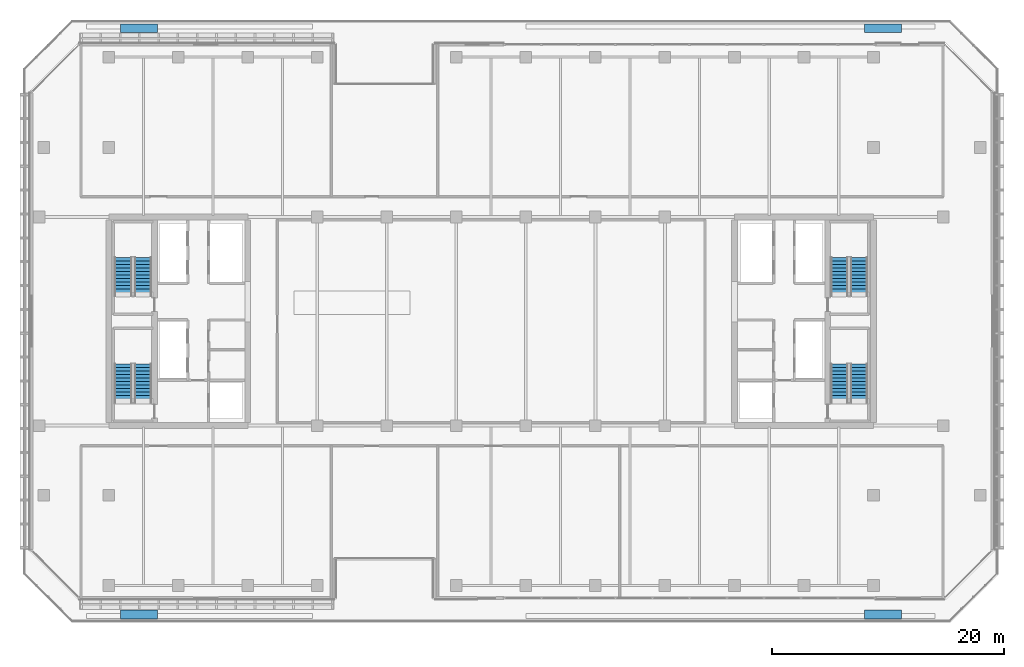
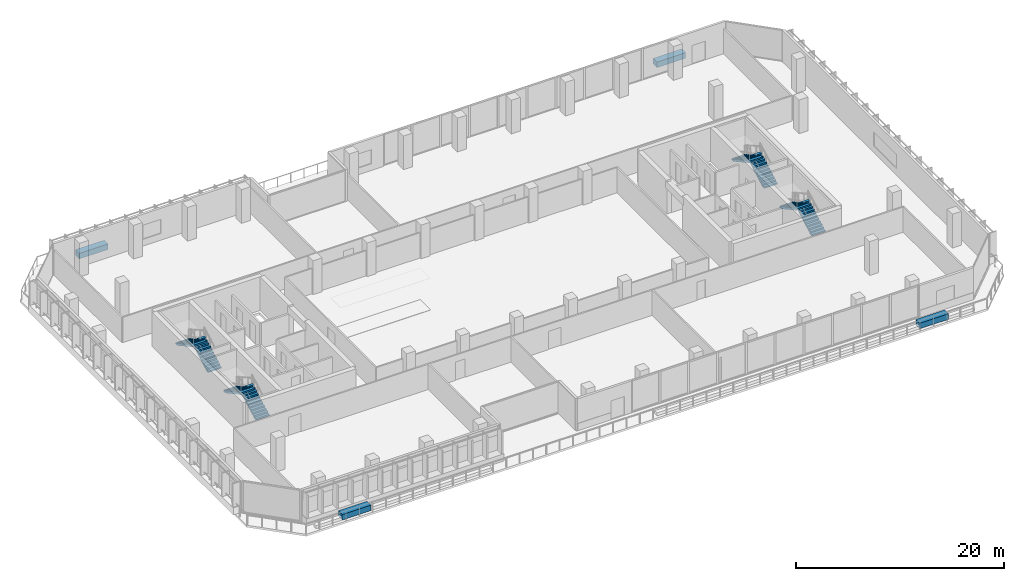
# One storey, part 32 of 38: 8 stair flights, 4 discrete accessories, 4 elements without a shape of their own.
"""IFC4 building model written with IfcOpenShell, lengths in metres."""

from ifc_helpers import new_model, si_unit, direction, frame, origin, origin_2d, place, context, subcontext, project, spatial, polyline, rectangle, outline, extrude, material, type_object, element, aggregate, save


model = new_model("IFC4")

# Units and contexts
model_context = context("Model", 3, precision=1e-05, world=origin(), true_north=direction((0.0, 1.0)))
body_context = subcontext(model_context, "Body", "Model", "MODEL_VIEW")
ifc_project = project(units=[si_unit("LENGTHUNIT", "METRE"), si_unit("AREAUNIT", "SQUARE_METRE"), si_unit("VOLUMEUNIT", "CUBIC_METRE"), si_unit("PLANEANGLEUNIT", "RADIAN"), si_unit("MASSUNIT", "GRAM", prefix="KILO")], contexts=[model_context])

# Site, building, storey
site_placement = place(None, origin())
site = spatial("IfcSite", under=ifc_project, at=site_placement, CompositionType="ELEMENT")
building_placement = place(site_placement, origin())
building = spatial("IfcBuilding", under=site, at=building_placement, Name="Tanjung Sevakor Pilgrim Tower", CompositionType="ELEMENT")
storey_placement = place(building_placement, frame((0.0, 0.0, 78.2099609375)))
storey = spatial("IfcBuildingStorey", under=building, at=storey_placement, Name="L21", CompositionType="ELEMENT", Elevation=78.2099609375)

# Stair, stair flights
ifc_material_1 = material(Name="Concrete C40/50", Category="concrete")
stair_type = type_object("IfcStairType", Name="STAIR-ST-CR150", PredefinedType="HALF_TURN_STAIR", material=ifc_material_1)
stair_1_placement = place(storey_placement, origin())
stair_1 = element("IfcStair", 1, at=stair_1_placement, inside=storey, type_object=stair_type, Name="L21 West Core Exit Stair 1", PredefinedType="HALF_TURN_STAIR")
ifc_material_2 = material(Name="Concrete C40/50", Category="concrete")
stair_flight_type = type_object("IfcStairFlightType", Name="FLIGHT-ST-CR150", PredefinedType="STRAIGHT", material=ifc_material_2)
stair_flight_1_placement = place(storey_placement, frame((26.949951171875, 26.60009765625, 0.0), z_axis=(0.0, 0.0, 1.0), x_axis=(0.0, 1.0, 0.0)))
stair_flight_1 = element("IfcStairFlight", 2, at=stair_flight_1_placement, type_object=stair_flight_type, Name="TS-W1 flight 1", NumberOfRisers=12, NumberOfTreads=11, PredefinedType="STRAIGHT", RiserHeight=0.165, TreadLength=0.3, context=body_context, shape_type="SweptSolid", body=[
    extrude(outline(polyline([(0.0, 0.0), (0.0, 0.1650390625), (0.300048828125, 0.1650390625), (0.300048828125, 0.330078125), (0.60009765625, 0.330078125), (0.60009765625, 0.4951171875), (0.89990234375, 0.4951171875), (0.89990234375, 0.659912109375), (1.199951171875, 0.659912109375), (1.199951171875, 0.824951171875), (1.5, 0.824951171875), (1.5, 0.989990234375), (1.800048828125, 0.989990234375), (1.800048828125, 1.155029296875), (2.10009765625, 1.155029296875), (2.10009765625, 1.320068359375), (2.39990234375, 1.320068359375), (2.39990234375, 1.485107421875), (2.699951171875, 1.485107421875), (2.699951171875, 1.64990234375), (3.0, 1.64990234375), (3.0, 1.81494140625), (3.300048828125, 1.81494140625), (3.300048828125, 1.97998046875), (3.300048828125, 1.632568359375), (0.331787109375, 0.0), (0.0, 0.0)])), frame((0.0, 0.75, 0.0), z_axis=(0.0, -1.0, 0.0), x_axis=(1.0, 0.0, 0.0)), (0.0, 0.0, 1.0), 1.5),
])
stair_flight_2_placement = place(storey_placement, frame((25.25, 29.89990234375, 1.97998046875), z_axis=(0.0, 0.0, 1.0), x_axis=(0.0, -1.0, 0.0)))
stair_flight_2 = element("IfcStairFlight", 3, at=stair_flight_2_placement, type_object=stair_flight_type, Name="TS-W1 flight 2", NumberOfRisers=12, NumberOfTreads=11, PredefinedType="STRAIGHT", RiserHeight=0.165, TreadLength=0.3, context=body_context, shape_type="SweptSolid", body=[
    extrude(outline(polyline([(0.0, 0.0), (0.0, 0.1650390625), (0.300048828125, 0.1650390625), (0.300048828125, 0.330078125), (0.60009765625, 0.330078125), (0.60009765625, 0.4951171875), (0.89990234375, 0.4951171875), (0.89990234375, 0.659912109375), (1.199951171875, 0.659912109375), (1.199951171875, 0.824951171875), (1.5, 0.824951171875), (1.5, 0.989990234375), (1.800048828125, 0.989990234375), (1.800048828125, 1.155029296875), (2.10009765625, 1.155029296875), (2.10009765625, 1.320068359375), (2.39990234375, 1.320068359375), (2.39990234375, 1.485107421875), (2.699951171875, 1.485107421875), (2.699951171875, 1.64990234375), (3.0, 1.64990234375), (3.0, 1.81494140625), (3.300048828125, 1.81494140625), (3.300048828125, 1.97998046875), (3.300048828125, 1.632568359375), (0.331787109375, 0.0), (0.0, 0.0)])), frame((0.0, 0.75, 0.0), z_axis=(0.0, -1.0, 0.0), x_axis=(1.0, 0.0, 0.0)), (0.0, 0.0, 1.0), 1.5),
])
aggregate(stair_1, [stair_flight_1, stair_flight_2])

stair_2_placement = place(storey_placement, origin())
stair_2 = element("IfcStair", 4, at=stair_2_placement, inside=storey, type_object=stair_type, Name="L21 West Core Exit Stair 2", PredefinedType="HALF_TURN_STAIR")
stair_flight_3_placement = place(storey_placement, frame((26.949951171875, 35.800048828125, 0.0), z_axis=(0.0, 0.0, 1.0), x_axis=(0.0, 1.0, 0.0)))
stair_flight_3 = element("IfcStairFlight", 5, at=stair_flight_3_placement, type_object=stair_flight_type, Name="TS-W2 flight 1", NumberOfRisers=12, NumberOfTreads=11, PredefinedType="STRAIGHT", RiserHeight=0.165, TreadLength=0.3, context=body_context, shape_type="SweptSolid", body=[
    extrude(outline(polyline([(0.0, 0.0), (0.0, 0.1650390625), (0.300048828125, 0.1650390625), (0.300048828125, 0.330078125), (0.60009765625, 0.330078125), (0.60009765625, 0.4951171875), (0.89990234375, 0.4951171875), (0.89990234375, 0.659912109375), (1.199951171875, 0.659912109375), (1.199951171875, 0.824951171875), (1.5, 0.824951171875), (1.5, 0.989990234375), (1.800048828125, 0.989990234375), (1.800048828125, 1.155029296875), (2.10009765625, 1.155029296875), (2.10009765625, 1.320068359375), (2.39990234375, 1.320068359375), (2.39990234375, 1.485107421875), (2.699951171875, 1.485107421875), (2.699951171875, 1.64990234375), (3.0, 1.64990234375), (3.0, 1.81494140625), (3.300048828125, 1.81494140625), (3.300048828125, 1.97998046875), (3.300048828125, 1.632568359375), (0.331787109375, 0.0), (0.0, 0.0)])), frame((0.0, 0.75, 0.0), z_axis=(0.0, -1.0, 0.0), x_axis=(1.0, 0.0, 0.0)), (0.0, 0.0, 1.0), 1.5),
])
stair_flight_4_placement = place(storey_placement, frame((25.25, 39.10009765625, 1.97998046875), z_axis=(0.0, 0.0, 1.0), x_axis=(0.0, -1.0, 0.0)))
stair_flight_4 = element("IfcStairFlight", 6, at=stair_flight_4_placement, type_object=stair_flight_type, Name="TS-W2 flight 2", NumberOfRisers=12, NumberOfTreads=11, PredefinedType="STRAIGHT", RiserHeight=0.165, TreadLength=0.3, context=body_context, shape_type="SweptSolid", body=[
    extrude(outline(polyline([(0.0, 0.0), (0.0, 0.1650390625), (0.300048828125, 0.1650390625), (0.300048828125, 0.330078125), (0.60009765625, 0.330078125), (0.60009765625, 0.4951171875), (0.89990234375, 0.4951171875), (0.89990234375, 0.659912109375), (1.199951171875, 0.659912109375), (1.199951171875, 0.824951171875), (1.5, 0.824951171875), (1.5, 0.989990234375), (1.800048828125, 0.989990234375), (1.800048828125, 1.155029296875), (2.10009765625, 1.155029296875), (2.10009765625, 1.320068359375), (2.39990234375, 1.320068359375), (2.39990234375, 1.485107421875), (2.699951171875, 1.485107421875), (2.699951171875, 1.64990234375), (3.0, 1.64990234375), (3.0, 1.81494140625), (3.300048828125, 1.81494140625), (3.300048828125, 1.97998046875), (3.300048828125, 1.632568359375), (0.331787109375, 0.0), (0.0, 0.0)])), frame((0.0, 0.75, 0.0), z_axis=(0.0, -1.0, 0.0), x_axis=(1.0, 0.0, 0.0)), (0.0, 0.0, 1.0), 1.5),
])
aggregate(stair_2, [stair_flight_3, stair_flight_4])

stair_3_placement = place(storey_placement, origin())
stair_3 = element("IfcStair", 7, at=stair_3_placement, inside=storey, type_object=stair_type, Name="L21 East Core Exit Stair 1", PredefinedType="HALF_TURN_STAIR")
stair_flight_5_placement = place(storey_placement, frame((88.75, 26.60009765625, 0.0), z_axis=(0.0, 0.0, 1.0), x_axis=(0.0, 1.0, 0.0)))
stair_flight_5 = element("IfcStairFlight", 8, at=stair_flight_5_placement, type_object=stair_flight_type, Name="TS-E1 flight 1", NumberOfRisers=12, NumberOfTreads=11, PredefinedType="STRAIGHT", RiserHeight=0.165, TreadLength=0.3, context=body_context, shape_type="SweptSolid", body=[
    extrude(outline(polyline([(0.0, 0.0), (0.0, 0.1650390625), (0.300048828125, 0.1650390625), (0.300048828125, 0.330078125), (0.60009765625, 0.330078125), (0.60009765625, 0.4951171875), (0.89990234375, 0.4951171875), (0.89990234375, 0.659912109375), (1.199951171875, 0.659912109375), (1.199951171875, 0.824951171875), (1.5, 0.824951171875), (1.5, 0.989990234375), (1.800048828125, 0.989990234375), (1.800048828125, 1.155029296875), (2.10009765625, 1.155029296875), (2.10009765625, 1.320068359375), (2.39990234375, 1.320068359375), (2.39990234375, 1.485107421875), (2.699951171875, 1.485107421875), (2.699951171875, 1.64990234375), (3.0, 1.64990234375), (3.0, 1.81494140625), (3.300048828125, 1.81494140625), (3.300048828125, 1.97998046875), (3.300048828125, 1.632568359375), (0.331787109375, 0.0), (0.0, 0.0)])), frame((0.0, 0.75, 0.0), z_axis=(0.0, -1.0, 0.0), x_axis=(1.0, 0.0, 0.0)), (0.0, 0.0, 1.0), 1.5),
])
stair_flight_6_placement = place(storey_placement, frame((87.050048828125, 29.89990234375, 1.97998046875), z_axis=(0.0, 0.0, 1.0), x_axis=(0.0, -1.0, 0.0)))
stair_flight_6 = element("IfcStairFlight", 9, at=stair_flight_6_placement, type_object=stair_flight_type, Name="TS-E1 flight 2", NumberOfRisers=12, NumberOfTreads=11, PredefinedType="STRAIGHT", RiserHeight=0.165, TreadLength=0.3, context=body_context, shape_type="SweptSolid", body=[
    extrude(outline(polyline([(0.0, 0.0), (0.0, 0.1650390625), (0.300048828125, 0.1650390625), (0.300048828125, 0.330078125), (0.60009765625, 0.330078125), (0.60009765625, 0.4951171875), (0.89990234375, 0.4951171875), (0.89990234375, 0.659912109375), (1.199951171875, 0.659912109375), (1.199951171875, 0.824951171875), (1.5, 0.824951171875), (1.5, 0.989990234375), (1.800048828125, 0.989990234375), (1.800048828125, 1.155029296875), (2.10009765625, 1.155029296875), (2.10009765625, 1.320068359375), (2.39990234375, 1.320068359375), (2.39990234375, 1.485107421875), (2.699951171875, 1.485107421875), (2.699951171875, 1.64990234375), (3.0, 1.64990234375), (3.0, 1.81494140625), (3.300048828125, 1.81494140625), (3.300048828125, 1.97998046875), (3.300048828125, 1.632568359375), (0.331787109375, 0.0), (0.0, 0.0)])), frame((0.0, 0.75, 0.0), z_axis=(0.0, -1.0, 0.0), x_axis=(1.0, 0.0, 0.0)), (0.0, 0.0, 1.0), 1.5),
])
aggregate(stair_3, [stair_flight_5, stair_flight_6])

stair_4_placement = place(storey_placement, origin())
stair_4 = element("IfcStair", 10, at=stair_4_placement, inside=storey, type_object=stair_type, Name="L21 East Core Exit Stair 2", PredefinedType="HALF_TURN_STAIR")
stair_flight_7_placement = place(storey_placement, frame((88.75, 35.800048828125, 0.0), z_axis=(0.0, 0.0, 1.0), x_axis=(0.0, 1.0, 0.0)))
stair_flight_7 = element("IfcStairFlight", 11, at=stair_flight_7_placement, type_object=stair_flight_type, Name="TS-E2 flight 1", NumberOfRisers=12, NumberOfTreads=11, PredefinedType="STRAIGHT", RiserHeight=0.165, TreadLength=0.3, context=body_context, shape_type="SweptSolid", body=[
    extrude(outline(polyline([(0.0, 0.0), (0.0, 0.1650390625), (0.300048828125, 0.1650390625), (0.300048828125, 0.330078125), (0.60009765625, 0.330078125), (0.60009765625, 0.4951171875), (0.89990234375, 0.4951171875), (0.89990234375, 0.659912109375), (1.199951171875, 0.659912109375), (1.199951171875, 0.824951171875), (1.5, 0.824951171875), (1.5, 0.989990234375), (1.800048828125, 0.989990234375), (1.800048828125, 1.155029296875), (2.10009765625, 1.155029296875), (2.10009765625, 1.320068359375), (2.39990234375, 1.320068359375), (2.39990234375, 1.485107421875), (2.699951171875, 1.485107421875), (2.699951171875, 1.64990234375), (3.0, 1.64990234375), (3.0, 1.81494140625), (3.300048828125, 1.81494140625), (3.300048828125, 1.97998046875), (3.300048828125, 1.632568359375), (0.331787109375, 0.0), (0.0, 0.0)])), frame((0.0, 0.75, 0.0), z_axis=(0.0, -1.0, 0.0), x_axis=(1.0, 0.0, 0.0)), (0.0, 0.0, 1.0), 1.5),
])
stair_flight_8_placement = place(storey_placement, frame((87.050048828125, 39.10009765625, 1.97998046875), z_axis=(0.0, 0.0, 1.0), x_axis=(0.0, -1.0, 0.0)))
stair_flight_8 = element("IfcStairFlight", 12, at=stair_flight_8_placement, type_object=stair_flight_type, Name="TS-E2 flight 2", NumberOfRisers=12, NumberOfTreads=11, PredefinedType="STRAIGHT", RiserHeight=0.165, TreadLength=0.3, context=body_context, shape_type="SweptSolid", body=[
    extrude(outline(polyline([(0.0, 0.0), (0.0, 0.1650390625), (0.300048828125, 0.1650390625), (0.300048828125, 0.330078125), (0.60009765625, 0.330078125), (0.60009765625, 0.4951171875), (0.89990234375, 0.4951171875), (0.89990234375, 0.659912109375), (1.199951171875, 0.659912109375), (1.199951171875, 0.824951171875), (1.5, 0.824951171875), (1.5, 0.989990234375), (1.800048828125, 0.989990234375), (1.800048828125, 1.155029296875), (2.10009765625, 1.155029296875), (2.10009765625, 1.320068359375), (2.39990234375, 1.320068359375), (2.39990234375, 1.485107421875), (2.699951171875, 1.485107421875), (2.699951171875, 1.64990234375), (3.0, 1.64990234375), (3.0, 1.81494140625), (3.300048828125, 1.81494140625), (3.300048828125, 1.97998046875), (3.300048828125, 1.632568359375), (0.331787109375, 0.0), (0.0, 0.0)])), frame((0.0, 0.75, 0.0), z_axis=(0.0, -1.0, 0.0), x_axis=(1.0, 0.0, 0.0)), (0.0, 0.0, 1.0), 1.5),
])
aggregate(stair_4, [stair_flight_7, stair_flight_8])

# Discrete accessories
ifc_material_3 = material(Name="Reconstructed Limestone Precast C45/55", Category="masonry")
discrete_accessory_type = type_object("IfcDiscreteAccessoryType", Name="ACC-PLANTER-STN1", PredefinedType="USERDEFINED", material=ifc_material_3)
for number, where, z_axis, x_axis, name in (
    (13, (26.60009765625, 8.300048828125, 0.0), (0.0, 0.0, 1.0), (1.0, 0.0, 0.0), "L21 Sky Terrace Stone Planter 015"),
    (14, (26.60009765625, 58.89990234375, 0.0), (0.0, 0.0, 1.0), (1.0, 0.0, 0.0), "L21 Sky Terrace Stone Planter 016"),
    (15, (90.800048828125, 8.300048828125, 0.0), (0.0, 0.0, 1.0), (1.0, 0.0, 0.0), "L21 Sky Terrace Stone Planter 017"),
    (16, (90.800048828125, 58.89990234375, 0.0), (0.0, 0.0, 1.0), (1.0, 0.0, 0.0), "L21 Sky Terrace Stone Planter 018"),
):
    element("IfcDiscreteAccessory", number, at=place(storey_placement, frame(where, z_axis=z_axis, x_axis=x_axis)), inside=storey, type_object=discrete_accessory_type, Name=name, ObjectType="PLANTER", PredefinedType="USERDEFINED", context=body_context, shape_type="SweptSolid", body=[
        extrude(rectangle(XDim=3.199951171875, YDim=0.75, at=origin_2d()), origin(), (0.0, 0.0, 1.0), 0.64990234375),
    ])

save(model, "model.ifc")
